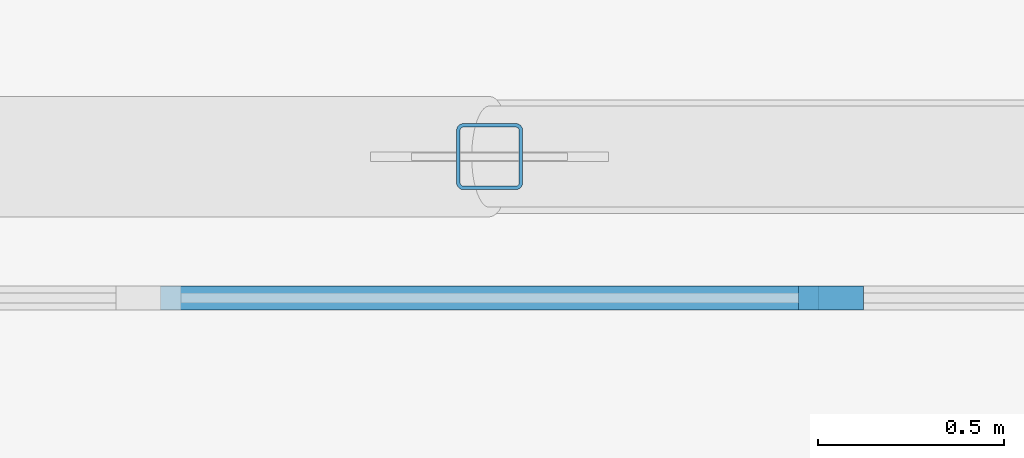
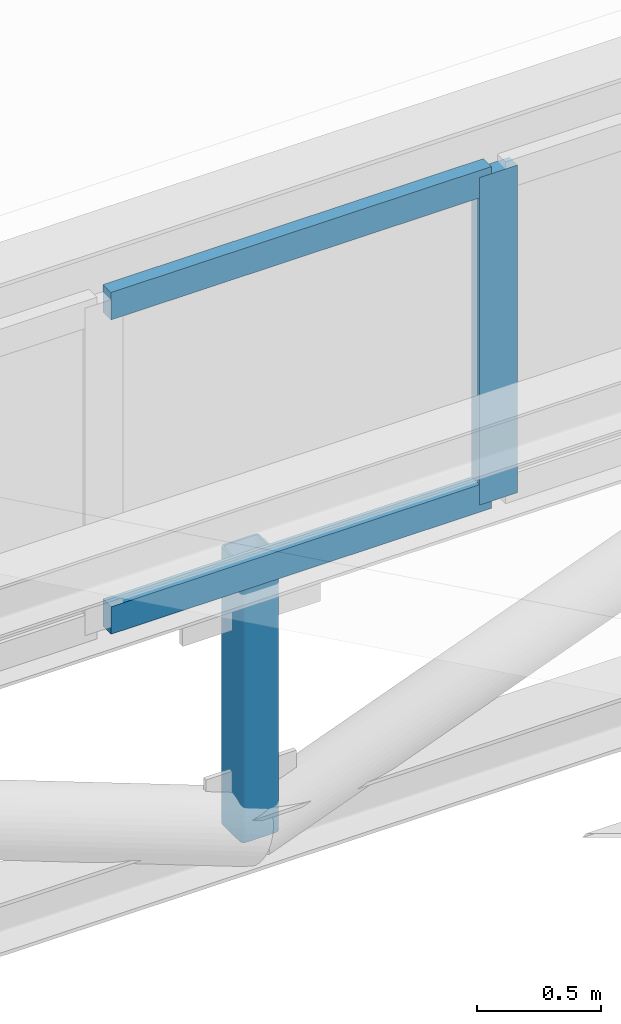
# One storey, part 19 of 98: 4 members, 1 element without a shape of its own.
"""IFC4 building model written with IfcOpenShell, lengths in metres."""

from ifc_helpers import new_model, si_unit, direction, frame, origin, origin_2d, place, context, subcontext, project, spatial, rectangle, hollow_rectangle, extrude, material, layer, layer_set, material_profile, profile_set, type_object, element, aggregate, save


model = new_model("IFC4")

# Units and contexts
model_context = context("Model", 3, precision=1e-05, world=origin(), true_north=direction((0.0, 1.0)))
body_context = subcontext(model_context, "Body", "Model", "MODEL_VIEW")
ifc_project = project(units=[si_unit("LENGTHUNIT", "METRE"), si_unit("AREAUNIT", "SQUARE_METRE"), si_unit("VOLUMEUNIT", "CUBIC_METRE"), si_unit("PLANEANGLEUNIT", "RADIAN"), si_unit("MASSUNIT", "GRAM", prefix="KILO")], contexts=[model_context])

# Site, building, storey
site_placement = place(None, origin())
site = spatial("IfcSite", under=ifc_project, at=site_placement, CompositionType="ELEMENT")
building_placement = place(site_placement, origin())
building = spatial("IfcBuilding", under=site, at=building_placement, Name="Solenvale Faculty of Natural Sciences", CompositionType="ELEMENT")
storey_placement = place(building_placement, frame((0.0, 0.0, 9.0)))
storey = spatial("IfcBuildingStorey", under=building, at=storey_placement, Name="L02", CompositionType="ELEMENT", Elevation=9.0)

# Curtain wall, members
ifc_material_1 = material(Name="Anodised bronze aluminium", Category="aluminium")
ifc_layer = layer(ifc_material_1, 0.1650390625)
ifc_layer_set = layer_set([ifc_layer], Name="Anodised bronze aluminium")
curtain_wall_type = type_object("IfcCurtainWallType", Name="CW-SAW-CLR", PredefinedType="USERDEFINED", material=ifc_layer_set)
curtain_wall_placement = place(storey_placement, origin())
curtain_wall = element("IfcCurtainWall", 1, at=curtain_wall_placement, inside=storey, type_object=curtain_wall_type, Name="L02 Curtain Wall SAW-V1-CW-4-1", ObjectType="NORTH LIGHT CLERESTORY", PredefinedType="USERDEFINED")
ifc_material_profile_1 = material_profile(ifc_material_1, rectangle(XDim=0.06494140625, YDim=0.175048828125, at=origin_2d()), Name="ALU-MUL-65x175")
ifc_profile_set_1 = profile_set([ifc_material_profile_1], Name="Anodised bronze aluminium")
member_type_1 = type_object("IfcMemberType", Name="CWM-ALU-65x175", PredefinedType="MULLION", material=ifc_profile_set_1)
member_1_placement = place(storey_placement, frame((15.3173828125, 28.419921875, 2.22998046875), z_axis=(0.0, 0.0, 1.0), x_axis=(0.0, -1.0, 0.0)))
member_1 = element("IfcMember", 2, at=member_1_placement, type_object=member_type_1, Name="CW-05 mullion 8", PredefinedType="MULLION", context=body_context, shape_type="SweptSolid", body=[
    extrude(rectangle(XDim=0.06494140625, YDim=0.175048828125, at=origin_2d()), origin(), (0.0, 0.0, 1.0), 1.610107421875),
])
ifc_material_profile_2 = material_profile(ifc_material_1, rectangle(XDim=0.06494140625, YDim=0.135009765625, at=origin_2d()), Name="ALU-TRN-65x135")
ifc_profile_set_2 = profile_set([ifc_material_profile_2], Name="Anodised bronze aluminium")
member_type_2 = type_object("IfcMemberType", Name="CWT-ALU-65x135", PredefinedType="USERDEFINED", material=ifc_profile_set_2)
member_2_placement = place(storey_placement, frame((15.284912109375, 28.419921875, 2.262451171875), z_axis=(-1.0, 0.0, 0.0), x_axis=(0.0, -1.0, 0.0)))
member_2 = element("IfcMember", 3, at=member_2_placement, type_object=member_type_2, Name="CW-05 transom 8.1", ObjectType="TRANSOM", PredefinedType="USERDEFINED", context=body_context, shape_type="SweptSolid", body=[
    extrude(rectangle(XDim=0.06494140625, YDim=0.135009765625, at=origin_2d()), origin(), (0.0, 0.0, 1.0), 1.769775390625),
])
member_3_placement = place(storey_placement, frame((15.284912109375, 28.419921875, 3.8076171875), z_axis=(-1.0, 0.0, 0.0), x_axis=(0.0, -1.0, 0.0)))
member_3 = element("IfcMember", 4, at=member_3_placement, type_object=member_type_2, Name="CW-05 transom 8.2", ObjectType="TRANSOM", PredefinedType="USERDEFINED", context=body_context, shape_type="SweptSolid", body=[
    extrude(rectangle(XDim=0.06494140625, YDim=0.135009765625, at=origin_2d()), origin(), (0.0, 0.0, 1.0), 1.769775390625),
])
aggregate(curtain_wall, [member_1, member_2, member_3])

# Member
ifc_material_2 = material(Name="Steel S355", Category="steel")
ifc_material_profile_3 = material_profile(ifc_material_2, hollow_rectangle(XDim=0.177978515625, YDim=0.177978515625, WallThickness=0.009521484375, InnerFilletRadius=0.009521484375, OuterFilletRadius=0.01904296875, at=origin_2d()), Name="HSS178x178x9.5")
ifc_profile_set_3 = profile_set([ifc_material_profile_3], Name="Steel S355")
member_type_3 = type_object("IfcMemberType", Name="MB-STR-HSS178", PredefinedType="STRUT", material=ifc_profile_set_3)
member_4_placement = place(storey_placement, frame((14.39990234375, 28.800048828125, 0.68994140625), z_axis=(0.0, 0.0, 1.0), x_axis=(1.0, 0.0, 0.0)))
element("IfcMember", 5, at=member_4_placement, inside=storey, type_object=member_type_3, Name="V1 Truss 4.1 Strut 4", PredefinedType="STRUT", context=body_context, shape_type="SweptSolid", body=[
    extrude(hollow_rectangle(XDim=0.177978515625, YDim=0.177978515625, WallThickness=0.009521484375, InnerFilletRadius=0.009521484375, OuterFilletRadius=0.01904296875, at=origin_2d()), origin(), (0.0, 0.0, 1.0), 1.360107421875),
])

save(model, "model.ifc")
